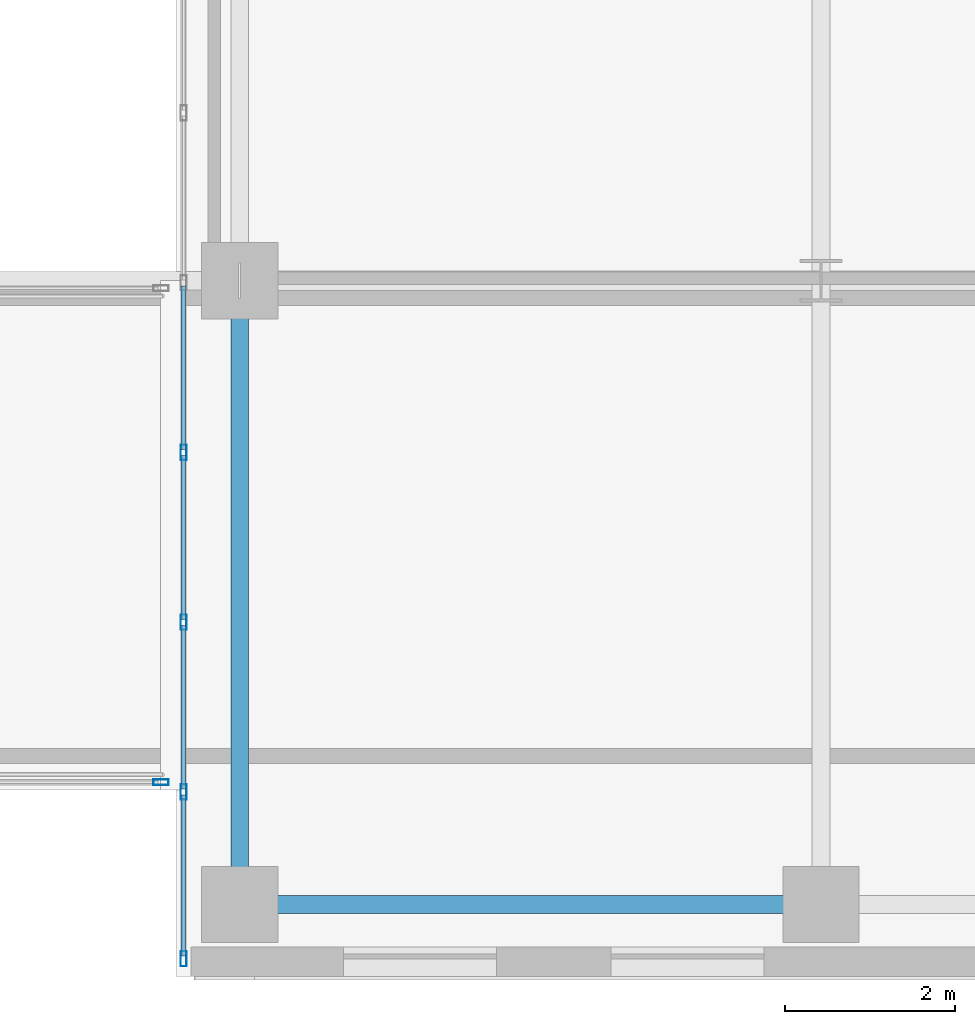
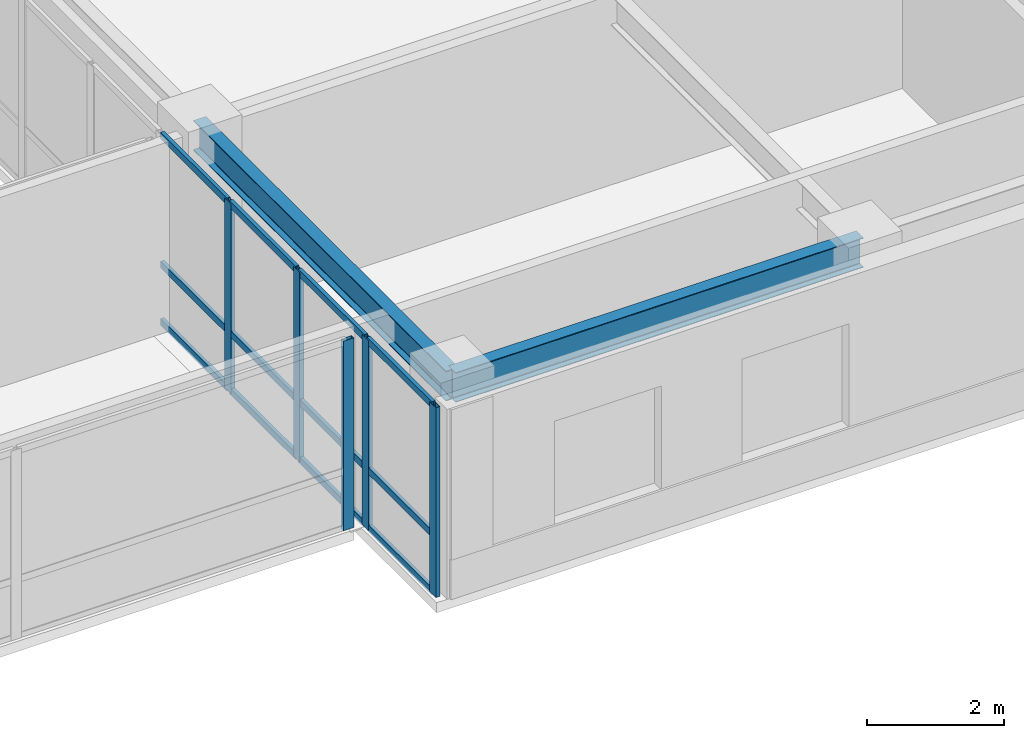
# One storey, part 8 of 31: 17 members, 2 beams, 2 elements without a shape of their own.
"""IFC4 building model written with IfcOpenShell, lengths in metres."""

from ifc_helpers import new_model, si_unit, direction, frame, origin, origin_2d, place, context, subcontext, project, spatial, hollow_rectangle, i_section, extrude, source, transform, mapped, material, layer, layer_set, material_profile, profile_set, type_object, type_shapes, element, aggregate, save


model = new_model("IFC4")

# Units and contexts
model_context = context("Model", 3, precision=1e-05, world=origin(), true_north=direction((0.0, 1.0)))
body_context = subcontext(model_context, "Body", "Model", "MODEL_VIEW")
ifc_project = project(units=[si_unit("LENGTHUNIT", "METRE"), si_unit("AREAUNIT", "SQUARE_METRE"), si_unit("VOLUMEUNIT", "CUBIC_METRE"), si_unit("PLANEANGLEUNIT", "RADIAN"), si_unit("MASSUNIT", "GRAM", prefix="KILO")], contexts=[model_context])

# Site, building, storey
site_placement = place(None, origin())
site = spatial("IfcSite", under=ifc_project, at=site_placement, CompositionType="ELEMENT")
building_placement = place(site_placement, origin())
building = spatial("IfcBuilding", under=site, at=building_placement, Name="Tolvann Quenvar Hotel", CompositionType="ELEMENT")
storey_placement = place(building_placement, frame((0.0, 0.0, 125.75)))
storey = spatial("IfcBuildingStorey", under=building, at=storey_placement, Name="L32", CompositionType="ELEMENT", Elevation=125.75)

# Beams
ifc_material_1 = material(Name="Steel Grade 350", Category="steel")
ifc_material_profile_1 = material_profile(ifc_material_1, i_section(OverallWidth=0.208984375, OverallDepth=0.528076171875, WebThickness=0.009521484375, FlangeThickness=0.01318359375, FilletRadius=0.013916015625, at=origin_2d()), Name="530UB82")
ifc_profile_set_1 = profile_set([ifc_material_profile_1], Name="Steel Grade 350")
beam_type_1 = type_object("IfcBeamType", Name="BM_SPAND_530UB82", PredefinedType="SPANDREL", material=ifc_profile_set_1)
shared_shape_1 = source(origin(), body_context, "Body", "SweptSolid", [
    extrude(i_section(OverallWidth=0.208984375, OverallDepth=0.528076171875, WebThickness=0.009521484375, FlangeThickness=0.01318359375, FilletRadius=0.013916015625, at=origin_2d()), origin(), (0.0, 0.0, 1.0), 6.85009765625),
])
type_shapes(beam_type_1, [shared_shape_1])
beam_1_placement = place(storey_placement, frame((34.949951171875, 0.85009765625, 3.10595703125), z_axis=(1.0, 0.0, 0.0), x_axis=(0.0, 1.0, 0.0)))
element("IfcBeam", 1, at=beam_1_placement, inside=storey, type_object=beam_type_1, Name="BM-L32-EW-2-F2-H2", PredefinedType="SPANDREL", context=body_context, shape_type="MappedRepresentation", body=[
    mapped(shared_shape_1, transform((0.0, 0.0, 0.0), x_axis=(1.0, 0.0, 0.0), y_axis=(0.0, 1.0, 0.0), z_axis=(0.0, 0.0, 1.0), scale=1.0)),
])
ifc_material_profile_2 = material_profile(ifc_material_1, i_section(OverallWidth=0.208984375, OverallDepth=0.532958984375, WebThickness=0.01025390625, FlangeThickness=0.015625, FilletRadius=0.013916015625, at=origin_2d()), Name="530UB92")
ifc_profile_set_2 = profile_set([ifc_material_profile_2], Name="Steel Grade 350")
beam_type_2 = type_object("IfcBeamType", Name="BM_GIRD_530UB92", PredefinedType="BEAM", material=ifc_profile_set_2)
shared_shape_2 = source(origin(), body_context, "Body", "SweptSolid", [
    extrude(i_section(OverallWidth=0.208984375, OverallDepth=0.532958984375, WebThickness=0.01025390625, FlangeThickness=0.015625, FilletRadius=0.013916015625, at=origin_2d()), origin(), (0.0, 0.0, 1.0), 7.349853515625),
])
type_shapes(beam_type_2, [shared_shape_2])
beam_2_placement = place(storey_placement, frame((34.949951171875, 0.85009765625, 3.103515625), z_axis=(0.0, 1.0, 0.0), x_axis=(-1.0, 0.0, 0.0)))
element("IfcBeam", 2, at=beam_2_placement, inside=storey, type_object=beam_type_2, Name="BM-L32-NS-F2-F3", PredefinedType="BEAM", context=body_context, shape_type="MappedRepresentation", body=[
    mapped(shared_shape_2, transform((0.0, 0.0, 0.0), x_axis=(1.0, 0.0, 0.0), y_axis=(0.0, 1.0, 0.0), z_axis=(0.0, 0.0, 1.0), scale=1.0)),
])

# Curtain wall, members
ifc_material_2 = material(Name="Thermally broken anodised architectural aluminium 6063-T6 and laminated low-E glass", Category="aluminium")
ifc_layer = layer(ifc_material_2, 0.179931640625)
ifc_layer_set = layer_set([ifc_layer], Name="Thermally broken anodised architectural aluminium 6063-T6 and laminated low-E glass")
curtain_wall_type = type_object("IfcCurtainWallType", Name="CW_SYS_SLOT_03", PredefinedType="USERDEFINED", material=ifc_layer_set)
curtain_wall_1_placement = place(storey_placement, origin())
curtain_wall_1 = element("IfcCurtainWall", 3, at=curtain_wall_1_placement, inside=storey, type_object=curtain_wall_type, Name="Curtain Wall CW-SLOT-03 (CWR-L32-E07)", ObjectType="UNITISED CURTAIN WALL", PredefinedType="USERDEFINED")
ifc_material_3 = material(Name="Anodised architectural aluminium 6063-T6 framing", Category="aluminium")
ifc_material_profile_3 = material_profile(ifc_material_3, hollow_rectangle(XDim=0.070068359375, YDim=0.179931640625, WallThickness=0.00390625, at=origin_2d()), Name="180x70x4RHS")
ifc_profile_set_3 = profile_set([ifc_material_profile_3], Name="Anodised architectural aluminium 6063-T6 framing")
member_type_1 = type_object("IfcMemberType", Name="CW_MULL_180x70", PredefinedType="MULLION", material=ifc_profile_set_3)
shared_shape_3 = source(origin(), body_context, "Body", "SweptSolid", [
    extrude(hollow_rectangle(XDim=0.070068359375, YDim=0.179931640625, WallThickness=0.00390625, at=origin_2d()), origin(), (0.0, 0.0, 1.0), 3.3701171875),
])
type_shapes(member_type_1, [shared_shape_3])
member_1_placement = place(storey_placement, frame((34.2900390625, 6.175048828125, 0.0), z_axis=(0.0, 0.0, 1.0), x_axis=(1.0, 0.0, 0.0)))
member_1 = element("IfcMember", 4, at=member_1_placement, type_object=member_type_1, Name="CW-SLOT-03 mullion 6", PredefinedType="MULLION", context=body_context, shape_type="MappedRepresentation", body=[
    mapped(shared_shape_3, transform((0.0, 0.0, 0.0), x_axis=(1.0, 0.0, 0.0), y_axis=(0.0, 1.0, 0.0), z_axis=(0.0, 0.0, 1.0), scale=1.0)),
])
member_2_placement = place(storey_placement, frame((34.2900390625, 4.175048828125, 0.0), z_axis=(0.0, 0.0, 1.0), x_axis=(1.0, 0.0, 0.0)))
member_2 = element("IfcMember", 5, at=member_2_placement, type_object=member_type_1, Name="CW-SLOT-03 mullion 7", PredefinedType="MULLION", context=body_context, shape_type="MappedRepresentation", body=[
    mapped(shared_shape_3, transform((0.0, 0.0, 0.0), x_axis=(1.0, 0.0, 0.0), y_axis=(0.0, 1.0, 0.0), z_axis=(0.0, 0.0, 1.0), scale=1.0)),
])
member_3_placement = place(storey_placement, frame((34.2900390625, 2.175048828125, 0.0), z_axis=(0.0, 0.0, 1.0), x_axis=(1.0, 0.0, 0.0)))
member_3 = element("IfcMember", 6, at=member_3_placement, type_object=member_type_1, Name="CW-SLOT-03 mullion 8", PredefinedType="MULLION", context=body_context, shape_type="MappedRepresentation", body=[
    mapped(shared_shape_3, transform((0.0, 0.0, 0.0), x_axis=(1.0, 0.0, 0.0), y_axis=(0.0, 1.0, 0.0), z_axis=(0.0, 0.0, 1.0), scale=1.0)),
])
member_4_placement = place(storey_placement, frame((34.2900390625, 0.2099609375, 0.0), z_axis=(0.0, 0.0, 1.0), x_axis=(1.0, 0.0, 0.0)))
member_4 = element("IfcMember", 7, at=member_4_placement, type_object=member_type_1, Name="CW-SLOT-03 mullion 9", PredefinedType="MULLION", context=body_context, shape_type="MappedRepresentation", body=[
    mapped(shared_shape_3, transform((0.0, 0.0, 0.0), x_axis=(1.0, 0.0, 0.0), y_axis=(0.0, 1.0, 0.0), z_axis=(0.0, 0.0, 1.0), scale=1.0)),
])

# Curtain wall, member
curtain_wall_2_placement = place(storey_placement, origin())
curtain_wall_2 = element("IfcCurtainWall", 8, at=curtain_wall_2_placement, inside=storey, type_object=curtain_wall_type, Name="Curtain Wall CW-SLOT-03 (CWR-BRG-L32-S)", ObjectType="UNITISED CURTAIN WALL", PredefinedType="USERDEFINED")
member_5_placement = place(storey_placement, frame((34.02490234375, 2.2900390625, 0.0), z_axis=(0.0, 0.0, 1.0), x_axis=(0.0, 1.0, 0.0)))
member_5 = element("IfcMember", 9, at=member_5_placement, type_object=member_type_1, Name="CW-SLOT-03 mullion 3", PredefinedType="MULLION", context=body_context, shape_type="MappedRepresentation", body=[
    mapped(shared_shape_3, transform((0.0, 0.0, 0.0), x_axis=(1.0, 0.0, 0.0), y_axis=(0.0, 1.0, 0.0), z_axis=(0.0, 0.0, 1.0), scale=1.0)),
])
aggregate(curtain_wall_2, [member_5])

# Member
ifc_material_profile_4 = material_profile(ifc_material_3, hollow_rectangle(XDim=0.06005859375, YDim=0.1201171875, WallThickness=0.00341796875, at=origin_2d()), Name="120x60x3.5RHS")
ifc_profile_set_4 = profile_set([ifc_material_profile_4], Name="Anodised architectural aluminium 6063-T6 framing")
member_type_2 = type_object("IfcMemberType", Name="CW_TRAN_120x60", PredefinedType="USERDEFINED", material=ifc_profile_set_4)
shared_shape_4 = source(origin(), body_context, "Body", "SweptSolid", [
    extrude(hollow_rectangle(XDim=0.06005859375, YDim=0.1201171875, WallThickness=0.00341796875, at=origin_2d()), origin(), (0.0, 0.0, 1.0), 1.894775390625),
])
member_6_placement = place(storey_placement, frame((34.2900390625, 2.139892578125, 0.030029296875), z_axis=(0.0, -1.0, 0.0), x_axis=(1.0, 0.0, 0.0)))
member_6 = element("IfcMember", 10, at=member_6_placement, type_object=member_type_2, Name="CW-SLOT-03 transom 8.1", ObjectType="TRANSOM", PredefinedType="USERDEFINED", context=body_context, shape_type="MappedRepresentation", body=[
    mapped(shared_shape_4, transform((0.0, 0.0, 0.0), x_axis=(1.0, 0.0, 0.0), y_axis=(0.0, 1.0, 0.0), z_axis=(0.0, 0.0, 1.0), scale=1.0)),
])

member_7_placement = place(storey_placement, frame((34.2900390625, 2.139892578125, 1.050048828125), z_axis=(0.0, -1.0, 0.0), x_axis=(1.0, 0.0, 0.0)))
member_7 = element("IfcMember", 11, at=member_7_placement, type_object=member_type_2, Name="CW-SLOT-03 transom 8.2", ObjectType="TRANSOM", PredefinedType="USERDEFINED", context=body_context, shape_type="MappedRepresentation", body=[
    mapped(shared_shape_4, transform((0.0, 0.0, 0.0), x_axis=(1.0, 0.0, 0.0), y_axis=(0.0, 1.0, 0.0), z_axis=(0.0, 0.0, 1.0), scale=1.0)),
])

member_8_placement = place(storey_placement, frame((34.2900390625, 2.139892578125, 3.340087890625), z_axis=(0.0, -1.0, 0.0), x_axis=(1.0, 0.0, 0.0)))
member_8 = element("IfcMember", 12, at=member_8_placement, type_object=member_type_2, Name="CW-SLOT-03 transom 8.3", ObjectType="TRANSOM", PredefinedType="USERDEFINED", context=body_context, shape_type="MappedRepresentation", body=[
    mapped(shared_shape_4, transform((0.0, 0.0, 0.0), x_axis=(1.0, 0.0, 0.0), y_axis=(0.0, 1.0, 0.0), z_axis=(0.0, 0.0, 1.0), scale=1.0)),
])

shared_shape_5 = source(origin(), body_context, "Body", "SweptSolid", [
    extrude(hollow_rectangle(XDim=0.06005859375, YDim=0.1201171875, WallThickness=0.00341796875, at=origin_2d()), origin(), (0.0, 0.0, 1.0), 1.929931640625),
])
type_shapes(member_type_2, [shared_shape_4, shared_shape_5])
member_9_placement = place(storey_placement, frame((34.2900390625, 8.139892578125, 0.030029296875), z_axis=(0.0, -1.0, 0.0), x_axis=(1.0, 0.0, 0.0)))
member_9 = element("IfcMember", 13, at=member_9_placement, type_object=member_type_2, Name="CW-SLOT-03 transom 5.1", ObjectType="TRANSOM", PredefinedType="USERDEFINED", context=body_context, shape_type="MappedRepresentation", body=[
    mapped(shared_shape_5, transform((0.0, 0.0, 0.0), x_axis=(1.0, 0.0, 0.0), y_axis=(0.0, 1.0, 0.0), z_axis=(0.0, 0.0, 1.0), scale=1.0)),
])

member_10_placement = place(storey_placement, frame((34.2900390625, 8.139892578125, 1.050048828125), z_axis=(0.0, -1.0, 0.0), x_axis=(1.0, 0.0, 0.0)))
member_10 = element("IfcMember", 14, at=member_10_placement, type_object=member_type_2, Name="CW-SLOT-03 transom 5.2", ObjectType="TRANSOM", PredefinedType="USERDEFINED", context=body_context, shape_type="MappedRepresentation", body=[
    mapped(shared_shape_5, transform((0.0, 0.0, 0.0), x_axis=(1.0, 0.0, 0.0), y_axis=(0.0, 1.0, 0.0), z_axis=(0.0, 0.0, 1.0), scale=1.0)),
])

member_11_placement = place(storey_placement, frame((34.2900390625, 8.139892578125, 3.340087890625), z_axis=(0.0, -1.0, 0.0), x_axis=(1.0, 0.0, 0.0)))
member_11 = element("IfcMember", 15, at=member_11_placement, type_object=member_type_2, Name="CW-SLOT-03 transom 5.3", ObjectType="TRANSOM", PredefinedType="USERDEFINED", context=body_context, shape_type="MappedRepresentation", body=[
    mapped(shared_shape_5, transform((0.0, 0.0, 0.0), x_axis=(1.0, 0.0, 0.0), y_axis=(0.0, 1.0, 0.0), z_axis=(0.0, 0.0, 1.0), scale=1.0)),
])

member_12_placement = place(storey_placement, frame((34.2900390625, 6.139892578125, 0.030029296875), z_axis=(0.0, -1.0, 0.0), x_axis=(1.0, 0.0, 0.0)))
member_12 = element("IfcMember", 16, at=member_12_placement, type_object=member_type_2, Name="CW-SLOT-03 transom 6.1", ObjectType="TRANSOM", PredefinedType="USERDEFINED", context=body_context, shape_type="MappedRepresentation", body=[
    mapped(shared_shape_5, transform((0.0, 0.0, 0.0), x_axis=(1.0, 0.0, 0.0), y_axis=(0.0, 1.0, 0.0), z_axis=(0.0, 0.0, 1.0), scale=1.0)),
])

member_13_placement = place(storey_placement, frame((34.2900390625, 6.139892578125, 1.050048828125), z_axis=(0.0, -1.0, 0.0), x_axis=(1.0, 0.0, 0.0)))
member_13 = element("IfcMember", 17, at=member_13_placement, type_object=member_type_2, Name="CW-SLOT-03 transom 6.2", ObjectType="TRANSOM", PredefinedType="USERDEFINED", context=body_context, shape_type="MappedRepresentation", body=[
    mapped(shared_shape_5, transform((0.0, 0.0, 0.0), x_axis=(1.0, 0.0, 0.0), y_axis=(0.0, 1.0, 0.0), z_axis=(0.0, 0.0, 1.0), scale=1.0)),
])

member_14_placement = place(storey_placement, frame((34.2900390625, 6.139892578125, 3.340087890625), z_axis=(0.0, -1.0, 0.0), x_axis=(1.0, 0.0, 0.0)))
member_14 = element("IfcMember", 18, at=member_14_placement, type_object=member_type_2, Name="CW-SLOT-03 transom 6.3", ObjectType="TRANSOM", PredefinedType="USERDEFINED", context=body_context, shape_type="MappedRepresentation", body=[
    mapped(shared_shape_5, transform((0.0, 0.0, 0.0), x_axis=(1.0, 0.0, 0.0), y_axis=(0.0, 1.0, 0.0), z_axis=(0.0, 0.0, 1.0), scale=1.0)),
])

member_15_placement = place(storey_placement, frame((34.2900390625, 4.139892578125, 0.030029296875), z_axis=(0.0, -1.0, 0.0), x_axis=(1.0, 0.0, 0.0)))
member_15 = element("IfcMember", 19, at=member_15_placement, type_object=member_type_2, Name="CW-SLOT-03 transom 7.1", ObjectType="TRANSOM", PredefinedType="USERDEFINED", context=body_context, shape_type="MappedRepresentation", body=[
    mapped(shared_shape_5, transform((0.0, 0.0, 0.0), x_axis=(1.0, 0.0, 0.0), y_axis=(0.0, 1.0, 0.0), z_axis=(0.0, 0.0, 1.0), scale=1.0)),
])

member_16_placement = place(storey_placement, frame((34.2900390625, 4.139892578125, 1.050048828125), z_axis=(0.0, -1.0, 0.0), x_axis=(1.0, 0.0, 0.0)))
member_16 = element("IfcMember", 20, at=member_16_placement, type_object=member_type_2, Name="CW-SLOT-03 transom 7.2", ObjectType="TRANSOM", PredefinedType="USERDEFINED", context=body_context, shape_type="MappedRepresentation", body=[
    mapped(shared_shape_5, transform((0.0, 0.0, 0.0), x_axis=(1.0, 0.0, 0.0), y_axis=(0.0, 1.0, 0.0), z_axis=(0.0, 0.0, 1.0), scale=1.0)),
])

member_17_placement = place(storey_placement, frame((34.2900390625, 4.139892578125, 3.340087890625), z_axis=(0.0, -1.0, 0.0), x_axis=(1.0, 0.0, 0.0)))
member_17 = element("IfcMember", 21, at=member_17_placement, type_object=member_type_2, Name="CW-SLOT-03 transom 7.3", ObjectType="TRANSOM", PredefinedType="USERDEFINED", context=body_context, shape_type="MappedRepresentation", body=[
    mapped(shared_shape_5, transform((0.0, 0.0, 0.0), x_axis=(1.0, 0.0, 0.0), y_axis=(0.0, 1.0, 0.0), z_axis=(0.0, 0.0, 1.0), scale=1.0)),
])

aggregate(curtain_wall_1, [member_1, member_2, member_3, member_4, member_9, member_10, member_11, member_12, member_13, member_14, member_15, member_16, member_17, member_6, member_7, member_8])

save(model, "model.ifc")
